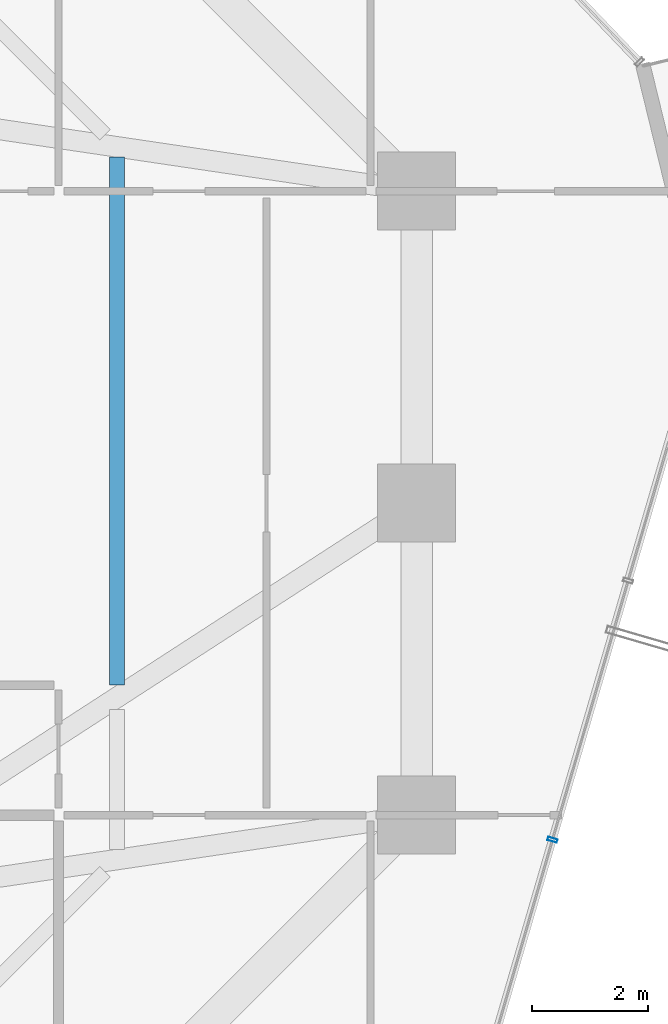
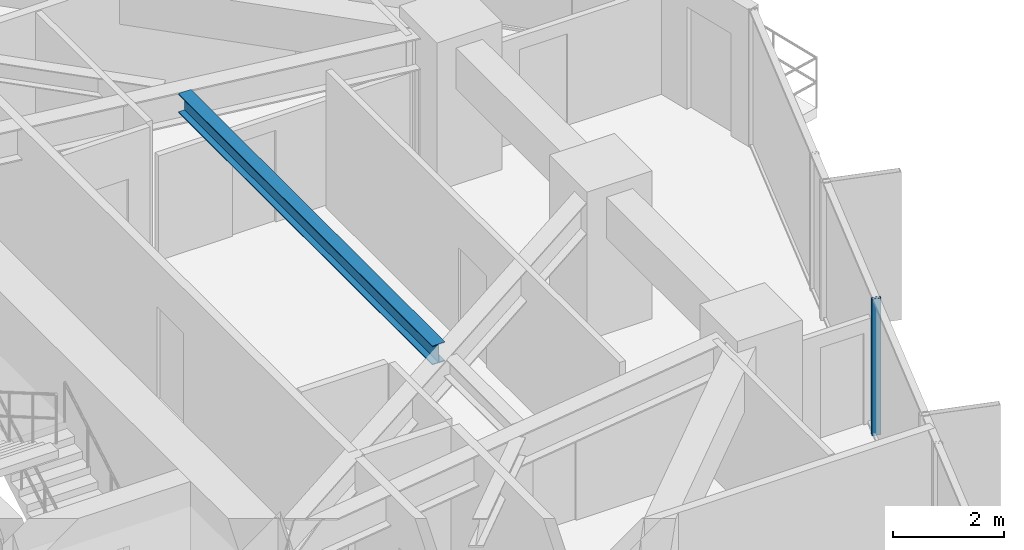
# One storey, part 15 of 37: 1 beam, 1 member, 1 element without a shape of its own.
"""IFC4 building model written with IfcOpenShell, lengths in metres."""

from ifc_helpers import new_model, si_unit, direction, frame, origin, origin_2d, place, context, subcontext, project, spatial, hollow_rectangle, i_section, extrude, source, transform, mapped, material, layer, layer_set, material_profile, profile_set, type_object, element, aggregate, save


model = new_model("IFC4")

# Units and contexts
model_context = context("Model", 3, precision=1e-05, world=origin(), true_north=direction((0.0, 1.0)))
body_context = subcontext(model_context, "Body", "Model", "MODEL_VIEW")
ifc_project = project(units=[si_unit("LENGTHUNIT", "METRE"), si_unit("AREAUNIT", "SQUARE_METRE"), si_unit("VOLUMEUNIT", "CUBIC_METRE"), si_unit("PLANEANGLEUNIT", "RADIAN"), si_unit("MASSUNIT", "GRAM", prefix="KILO")], contexts=[model_context])

# Site, building, storey
site_placement = place(None, origin())
site = spatial("IfcSite", under=ifc_project, at=site_placement, CompositionType="ELEMENT")
building_placement = place(site_placement, origin())
building = spatial("IfcBuilding", under=site, at=building_placement, Name="Veraguas Prism Commons", CompositionType="ELEMENT")
storey_placement = place(building_placement, frame((0.0, 0.0, 70.60009765625)))
storey = spatial("IfcBuildingStorey", under=building, at=storey_placement, Name="L19", CompositionType="ELEMENT", Elevation=70.60009765625)

# Beam
ifc_material_1 = material(Name="Steel ASTM A992 Grade 50", Category="steel")
ifc_material_profile_1 = material_profile(ifc_material_1, i_section(OverallWidth=0.260986328125, OverallDepth=0.419921875, WebThickness=0.01171875, FlangeThickness=0.019287109375, at=origin_2d()), Name="W410X114")
ifc_profile_set_1 = profile_set([ifc_material_profile_1], Name="Steel ASTM A992 Grade 50")
beam_type = type_object("IfcBeamType", Name="Lower Floor Joist W410x114", PredefinedType="JOIST", material=ifc_profile_set_1)
beam_placement = place(storey_placement, frame((36.416015625, 20.849609375, 2.789794921875), z_axis=(0.0, 1.0, 0.0), x_axis=(-1.0, 0.0, 0.0)))
element("IfcBeam", 1, at=beam_placement, inside=storey, type_object=beam_type, Name="Composite Floor Joist L19-JS02", PredefinedType="JOIST", context=body_context, shape_type="SweptSolid", body=[
    extrude(i_section(OverallWidth=0.260986328125, OverallDepth=0.419921875, WebThickness=0.01171875, FlangeThickness=0.019287109375, at=origin_2d()), origin(), (0.0, 0.0, 1.0), 9.140380859375),
])

# Curtain wall, member
ifc_material_2 = material(Name="Anodised aluminium EN AW-6063 T6", Category="aluminium")
ifc_layer = layer(ifc_material_2, 0.169921875, Name="Unitised Flush Curtain Wall Zone 1", Category="aluminium")
ifc_layer_set = layer_set([ifc_layer], Name="Anodised aluminium EN AW-6063 T6")
curtain_wall_type = type_object("IfcCurtainWallType", Name="Unitised Flush Curtain Wall Zone 1", PredefinedType="NOTDEFINED", material=ifc_layer_set)
curtain_wall_placement = place(storey_placement, origin())
curtain_wall = element("IfcCurtainWall", 2, at=curtain_wall_placement, inside=storey, type_object=curtain_wall_type, Name="Tower Facade Curtain Wall L19-F6", PredefinedType="NOTDEFINED")
ifc_material_profile_2 = material_profile(ifc_material_2, hollow_rectangle(XDim=0.06005859375, YDim=0.169921875, WallThickness=0.00390625, at=origin_2d()), Name="AL60X170X4")
ifc_profile_set_2 = profile_set([ifc_material_profile_2], Name="Anodised aluminium EN AW-6063 T6")
member_type = type_object("IfcMemberType", Name="Curtain Wall Mullion Lower AL 60x170x4", PredefinedType="MULLION", material=ifc_profile_set_2)
shared_shape = source(origin(), body_context, "Body", "SweptSolid", [
    extrude(hollow_rectangle(XDim=0.06005859375, YDim=0.169921875, WallThickness=0.00390625, at=origin_2d()), origin(), (0.0, 0.0, 1.0), 3.0),
])
member_placement = place(storey_placement, frame((43.951171875, 18.17333984375, 0.0), z_axis=(0.0, 0.0, 1.0), x_axis=(0.280333331925, 0.959902715389, 0.0)))
member = element("IfcMember", 3, at=member_placement, type_object=member_type, Name="CW-Z1 Mullion 3", PredefinedType="MULLION", context=body_context, shape_type="MappedRepresentation", body=[
    mapped(shared_shape, transform((0.0, 0.0, 0.0), scale=1.0)),
])
aggregate(curtain_wall, [member])

save(model, "model.ifc")
